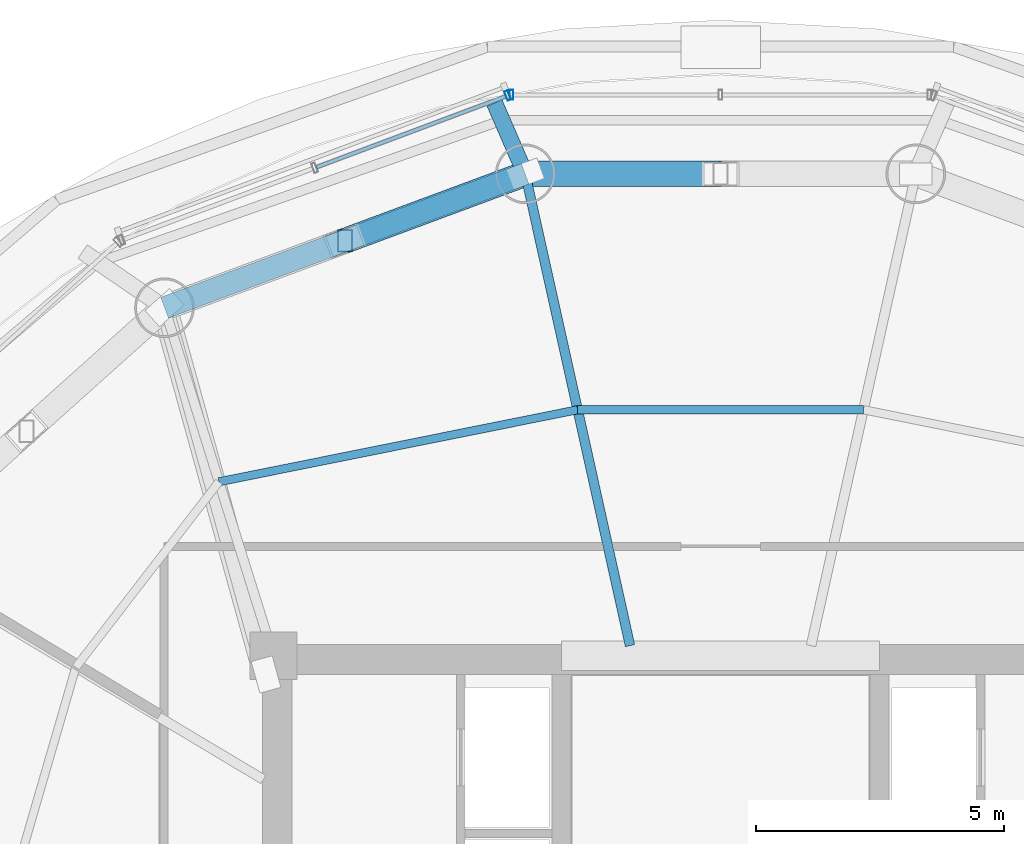
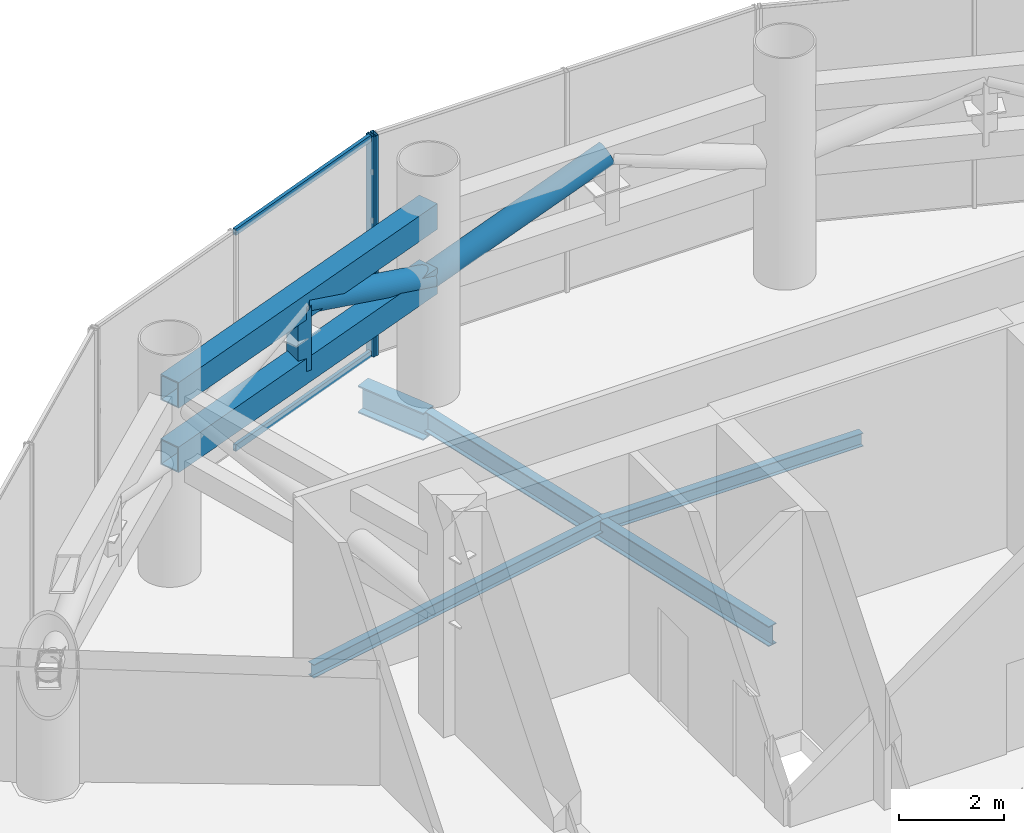
# One storey, part 15 of 25: 9 members, 4 beams, 2 elements without a shape of their own.
"""IFC4 building model written with IfcOpenShell, lengths in metres."""

from ifc_helpers import new_model, si_unit, direction, frame, origin, origin_2d, place, context, subcontext, project, spatial, hollow_rectangle, hollow_circle, i_section, extrude, source, transform, mapped, material, material_profile, profile_set, type_object, element, aggregate, save


model = new_model("IFC4")

# Units and contexts
model_context = context("Model", 3, precision=1e-05, world=origin(), true_north=direction((-0.2419218956, 0.970295726276)))
body_context = subcontext(model_context, "Body", "Model", "MODEL_VIEW")
ifc_project = project(units=[si_unit("LENGTHUNIT", "METRE"), si_unit("AREAUNIT", "SQUARE_METRE"), si_unit("VOLUMEUNIT", "CUBIC_METRE"), si_unit("PLANEANGLEUNIT", "RADIAN"), si_unit("MASSUNIT", "GRAM", prefix="KILO")], contexts=[model_context])

# Site, building, storey
site_placement = place(None, origin())
site = spatial("IfcSite", under=ifc_project, at=site_placement, CompositionType="ELEMENT")
building_placement = place(site_placement, origin())
building = spatial("IfcBuilding", under=site, at=building_placement, Name="Cobrevalo Terracotta Tower", CompositionType="ELEMENT")
storey_placement = place(building_placement, frame((0.0, 0.0, 185.800048828125)))
storey = spatial("IfcBuildingStorey", under=building, at=storey_placement, Name="L49", CompositionType="ELEMENT", Elevation=185.800048828125)

# Beams
ifc_material_1 = material(Name="Steel S355", Category="steel")
ifc_material_profile_1 = material_profile(ifc_material_1, i_section(OverallWidth=0.194091796875, OverallDepth=0.468994140625, WebThickness=0.011474609375, FlangeThickness=0.0205078125, at=origin_2d()), Name="W 460x106")
ifc_profile_set_1 = profile_set([ifc_material_profile_1], Name="Steel S355")
beam_type_1 = type_object("IfcBeamType", Name="Structural Beam W 460x106 (Steel S355)", PredefinedType="BEAM", material=ifc_profile_set_1)
beam_1_placement = place(storey_placement, frame((34.06884765625, 44.503173828125, -0.6845703125), z_axis=(0.216773700992, -0.976221881827, 0.0), x_axis=(0.976221881827, 0.216773700992, 0.0)))
element("IfcBeam", 1, at=beam_1_placement, inside=storey, type_object=beam_type_1, Name="L49 radial floor girder 05", PredefinedType="BEAM", context=body_context, shape_type="SweptSolid", body=[
    extrude(i_section(OverallWidth=0.194091796875, OverallDepth=0.468994140625, WebThickness=0.011474609375, FlangeThickness=0.0205078125, at=origin_2d()), origin(), (0.0, 0.0, 1.0), 9.729736328125),
])
ifc_material_profile_2 = material_profile(ifc_material_1, i_section(OverallWidth=0.3291015625, OverallDepth=0.635009765625, WebThickness=0.017822265625, FlangeThickness=0.031005859375, at=origin_2d()), Name="W 610x241")
ifc_profile_set_2 = profile_set([ifc_material_profile_2], Name="Steel S355")
beam_type_2 = type_object("IfcBeamType", Name="Structural Beam W 610x241 (Steel S355)", PredefinedType="BEAM", material=ifc_profile_set_2)
beam_2_placement = place(storey_placement, frame((33.449462890625, 45.9306640625, -0.767578125), z_axis=(0.398043294493, -0.91736663102, 0.0), x_axis=(0.91736663102, 0.398043294493, 0.0)))
element("IfcBeam", 2, at=beam_2_placement, inside=storey, type_object=beam_type_2, Name="L49 setback step-link girder 05", PredefinedType="BEAM", context=body_context, shape_type="SweptSolid", body=[
    extrude(i_section(OverallWidth=0.3291015625, OverallDepth=0.635009765625, WebThickness=0.017822265625, FlangeThickness=0.031005859375, at=origin_2d()), origin(), (0.0, 0.0, 1.0), 1.55615234375),
])
ifc_material_profile_3 = material_profile(ifc_material_1, i_section(OverallWidth=0.1650390625, OverallDepth=0.31005859375, WebThickness=0.005859375, FlangeThickness=0.009765625, at=origin_2d()), Name="W 310x38.7")
ifc_profile_set_3 = profile_set([ifc_material_profile_3], Name="Steel S355")
beam_type_3 = type_object("IfcBeamType", Name="Structural Joist W 310x38.7 (Steel S355)", PredefinedType="JOIST", material=ifc_profile_set_3)
beam_3_placement = place(storey_placement, frame((40.87646484375, 39.754150390625, -0.60498046875), z_axis=(-1.0, 0.0, 0.0), x_axis=(0.0, -1.0, 0.0)))
element("IfcBeam", 3, at=beam_3_placement, inside=storey, type_object=beam_type_3, Name="L49 circumferential secondary floor joist 04", PredefinedType="JOIST", context=body_context, shape_type="SweptSolid", body=[
    extrude(i_section(OverallWidth=0.1650390625, OverallDepth=0.31005859375, WebThickness=0.005859375, FlangeThickness=0.009765625, at=origin_2d()), origin(), (0.0, 0.0, 1.0), 5.7529296875),
])
beam_4_placement = place(storey_placement, frame((35.12353515625, 39.754150390625, -0.60498046875), z_axis=(-0.980423545849, -0.196900154253, 0.0), x_axis=(0.196900154253, -0.980423545849, 0.0)))
element("IfcBeam", 4, at=beam_4_placement, inside=storey, type_object=beam_type_3, Name="L49 circumferential secondary floor joist 05", PredefinedType="JOIST", context=body_context, shape_type="SweptSolid", body=[
    extrude(i_section(OverallWidth=0.1650390625, OverallDepth=0.31005859375, WebThickness=0.005859375, FlangeThickness=0.009765625, at=origin_2d()), origin(), (0.0, 0.0, 1.0), 7.365234375),
])

# Members
ifc_material_profile_4 = material_profile(ifc_material_1, hollow_rectangle(XDim=0.300048828125, YDim=0.449951171875, WallThickness=0.02001953125, at=origin_2d()), Name="RHS 450x300x20")
ifc_profile_set_4 = profile_set([ifc_material_profile_4], Name="Steel S355")
member_type_1 = type_object("IfcMemberType", Name="Steel Post RHS 450x300x20 (Steel S355)", PredefinedType="POST", material=ifc_profile_set_4)
shared_shape_1 = source(origin(), body_context, "Body", "SweptSolid", [
    extrude(hollow_rectangle(XDim=0.300048828125, YDim=0.449951171875, WallThickness=0.02001953125, at=origin_2d()), origin(), (0.0, 0.0, 1.0), 1.505126953125),
])
member_1_placement = place(storey_placement, frame((30.43701171875, 43.155517578125, 2.64990234375), z_axis=(0.0, 0.0, 1.0), x_axis=(1.0, 0.0, 0.0)))
element("IfcMember", 5, at=member_1_placement, inside=storey, type_object=member_type_1, Name="L49 belt truss post 05", PredefinedType="POST", context=body_context, shape_type="MappedRepresentation", body=[
    mapped(shared_shape_1, transform((0.0, 0.0, 0.0), scale=1.0)),
])
ifc_material_profile_5 = material_profile(ifc_material_1, hollow_rectangle(XDim=0.449951171875, YDim=0.60009765625, WallThickness=0.028076171875, at=origin_2d()), Name="RHS 600x450x28")
ifc_profile_set_5 = profile_set([ifc_material_profile_5], Name="Steel S355")
member_type_2 = type_object("IfcMemberType", Name="Steel Chord RHS 600x450x28 (Steel S355)", PredefinedType="CHORD", material=ifc_profile_set_5)
shared_shape_2 = source(origin(), body_context, "Body", "SweptSolid", [
    extrude(hollow_rectangle(XDim=0.449951171875, YDim=0.60009765625, WallThickness=0.028076171875, at=origin_2d()), origin(), (0.0, 0.0, 1.0), 7.74755859375),
])
for number, where, z_axis, x_axis, name in (
    (6, (34.06884765625, 44.503173828125, 2.64990234375), (-0.937545996665, -0.347861328892, 0.0), (0.347861328892, -0.937545996665, 0.0), "L49 belt truss chord 05-BC"),
    (7, (34.06884765625, 44.503173828125, 4.155029296875), (-0.937545996665, -0.347861328892, 0.0), (0.347861328892, -0.937545996665, 0.0), "L49 belt truss chord 05-TC"),
):
    element("IfcMember", number, at=place(storey_placement, frame(where, z_axis=z_axis, x_axis=x_axis)), inside=storey, type_object=member_type_2, Name=name, PredefinedType="CHORD", context=body_context, shape_type="MappedRepresentation", body=[
        mapped(shared_shape_2, transform((0.0, 0.0, 0.0), scale=1.0)),
    ])
ifc_material_profile_6 = material_profile(ifc_material_1, hollow_circle(Radius=0.25390625, WallThickness=0.02001953125, at=origin_2d()), Name="CHS 508x20")
ifc_profile_set_6 = profile_set([ifc_material_profile_6], Name="Steel S355")
member_type_3 = type_object("IfcMemberType", Name="Steel Brace CHS 508x20 (Steel S355)", PredefinedType="BRACE", material=ifc_profile_set_6)
shared_shape_3 = source(origin(), body_context, "Body", "SweptSolid", [
    extrude(hollow_circle(Radius=0.25390625, WallThickness=0.02001953125, at=origin_2d()), origin(), (0.0, 0.0, 1.0), 4.156005859375),
])
member_2_placement = place(storey_placement, frame((34.06884765625, 44.503173828125, 2.64990234375), z_axis=(-0.873890886812, -0.324272499005, 0.362163035574), x_axis=(0.347889027276, -0.93753571916, 0.0)))
element("IfcMember", 8, at=member_2_placement, inside=storey, type_object=member_type_3, Name="L49 belt truss diagonal brace 05-D1", PredefinedType="BRACE", context=body_context, shape_type="MappedRepresentation", body=[
    mapped(shared_shape_3, transform((0.0, 0.0, 0.0), scale=1.0)),
])
shared_shape_4 = source(origin(), body_context, "Body", "SweptSolid", [
    extrude(hollow_circle(Radius=0.25390625, WallThickness=0.02001953125, at=origin_2d()), origin(), (0.0, 0.0, 1.0), 4.20947265625),
])
member_3_placement = place(storey_placement, frame((34.06884765625, 44.503173828125, 2.64990234375), z_axis=(0.933890131622, 0.0, 0.35756009573), x_axis=(0.0, 1.0, 0.0)))
element("IfcMember", 9, at=member_3_placement, inside=storey, type_object=member_type_3, Name="L49 belt truss diagonal brace 04-D2", PredefinedType="BRACE", context=body_context, shape_type="MappedRepresentation", body=[
    mapped(shared_shape_4, transform((0.0, 0.0, 0.0), scale=1.0)),
])

# Curtain wall, member
ifc_material_2 = material(Name="Anodized aluminium", Category="aluminium")
curtain_wall_type = type_object("IfcCurtainWallType", Name="Belt-truss plant acoustic weather-louvre curtain wall CW-LV", PredefinedType="NOTDEFINED", material=ifc_material_2)
curtain_wall_1_placement = place(storey_placement, origin())
curtain_wall_1 = element("IfcCurtainWall", 10, at=curtain_wall_1_placement, inside=storey, type_object=curtain_wall_type, Name="L49 curtain wall CW-LV-L49-S04", PredefinedType="NOTDEFINED")
ifc_material_profile_7 = material_profile(ifc_material_2, hollow_rectangle(XDim=0.074951171875, YDim=0.199951171875, WallThickness=0.0048828125, at=origin_2d()), Name="CWM 75x200")
ifc_profile_set_7 = profile_set([ifc_material_profile_7], Name="Anodized aluminium")
member_type_4 = type_object("IfcMemberType", Name="Lower/mid tower unitised mullion 75x200", PredefinedType="MULLION", material=ifc_profile_set_7)
shared_shape_5 = source(origin(), body_context, "Body", "SweptSolid", [
    extrude(hollow_rectangle(XDim=0.074951171875, YDim=0.199951171875, WallThickness=0.0048828125, at=origin_2d()), origin(), (0.0, 0.0, 1.0), 5.135009765625),
])
member_4_placement = place(storey_placement, frame((33.79296875, 46.092041015625, 0.0), z_axis=(0.0, 0.0, 1.0), x_axis=(-1.0, 0.0, 0.0)))
member_4 = element("IfcMember", 11, at=member_4_placement, type_object=member_type_4, Name="CW-LV-L49-S04 vertical mullion 03", PredefinedType="MULLION", context=body_context, shape_type="MappedRepresentation", body=[
    mapped(shared_shape_5, transform((0.0, 0.0, 0.0), scale=1.0)),
])
aggregate(curtain_wall_1, [member_4])

# Curtain wall, members
curtain_wall_2_placement = place(storey_placement, origin())
curtain_wall_2 = element("IfcCurtainWall", 12, at=curtain_wall_2_placement, inside=storey, type_object=curtain_wall_type, Name="L49 curtain wall CW-LV-L49-S05", PredefinedType="NOTDEFINED")
member_5_placement = place(storey_placement, frame((33.71533203125, 46.078125, 0.0), z_axis=(0.0, 0.0, 1.0), x_axis=(-0.936556004584, -0.350517974259, 0.0)))
member_5 = element("IfcMember", 13, at=member_5_placement, type_object=member_type_4, Name="CW-LV-L49-S05 vertical mullion 01", PredefinedType="MULLION", context=body_context, shape_type="MappedRepresentation", body=[
    mapped(shared_shape_5, transform((0.0, 0.0, 0.0), scale=1.0)),
])
ifc_material_profile_8 = material_profile(ifc_material_2, hollow_rectangle(XDim=0.074951171875, YDim=0.14990234375, WallThickness=0.00439453125, at=origin_2d()), Name="CWT 75x150")
ifc_profile_set_8 = profile_set([ifc_material_profile_8], Name="Anodized aluminium")
member_type_5 = type_object("IfcMemberType", Name="Tower unitised aluminium transom 75x150", PredefinedType="USERDEFINED", material=ifc_profile_set_8)
shared_shape_6 = source(origin(), body_context, "Body", "SweptSolid", [
    extrude(hollow_rectangle(XDim=0.074951171875, YDim=0.14990234375, WallThickness=0.00439453125, at=origin_2d()), origin(), (0.0, 0.0, 1.0), 4.06982421875),
])
member_6_placement = place(storey_placement, frame((33.677978515625, 46.06396484375, 0.050048828125), z_axis=(-0.936555791772, -0.350518542873, 0.0), x_axis=(0.350518542873, -0.936555791772, 0.0)))
member_6 = element("IfcMember", 14, at=member_6_placement, type_object=member_type_5, Name="CW-LV-L49-S05 transom B01-T1", ObjectType="TRANSOM", PredefinedType="USERDEFINED", context=body_context, shape_type="MappedRepresentation", body=[
    mapped(shared_shape_6, transform((0.0, 0.0, 0.0), scale=1.0)),
])
member_7_placement = place(storey_placement, frame((33.677978515625, 46.06396484375, 5.0849609375), z_axis=(-0.936555791772, -0.350518542873, 0.0), x_axis=(0.350518542873, -0.936555791772, 0.0)))
member_7 = element("IfcMember", 15, at=member_7_placement, type_object=member_type_5, Name="CW-LV-L49-S05 transom B01-T2", ObjectType="TRANSOM", PredefinedType="USERDEFINED", context=body_context, shape_type="MappedRepresentation", body=[
    mapped(shared_shape_6, transform((0.0, 0.0, 0.0), scale=1.0)),
])
aggregate(curtain_wall_2, [member_5, member_6, member_7])

save(model, "model.ifc")
